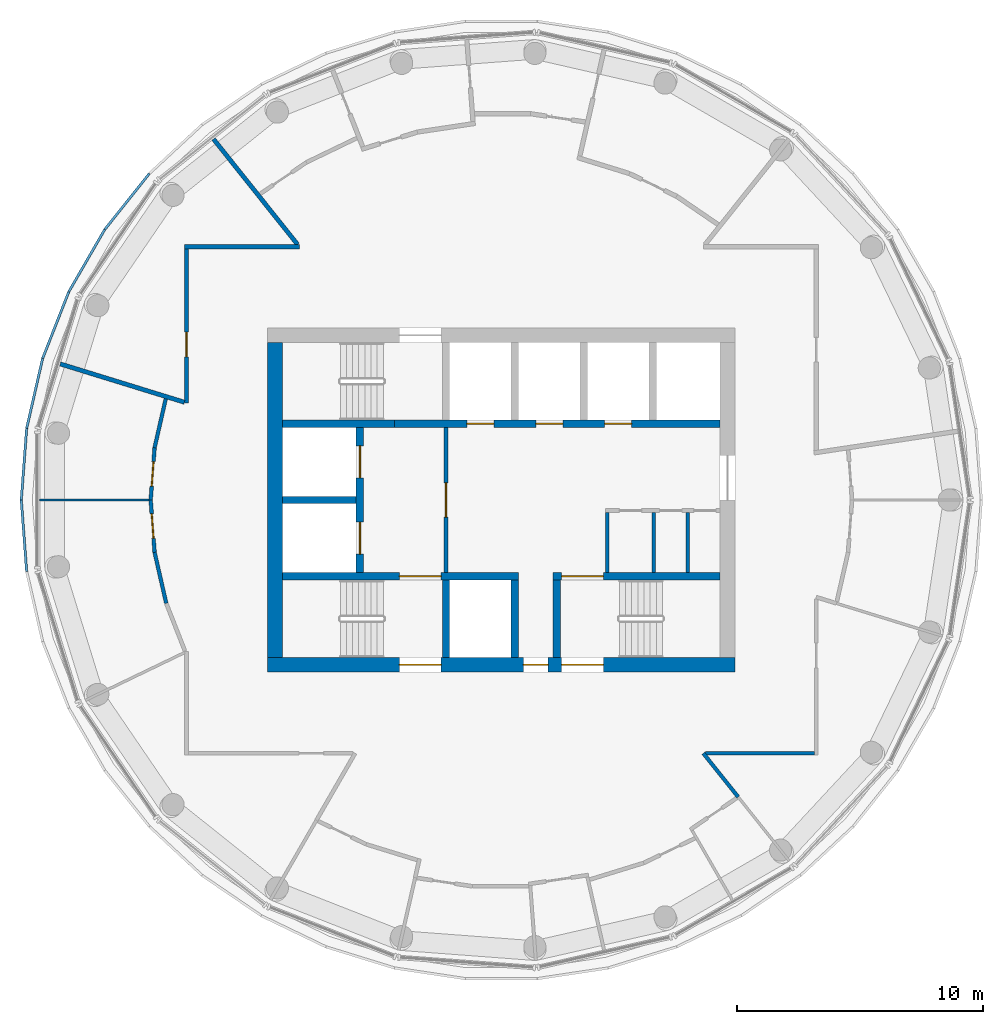
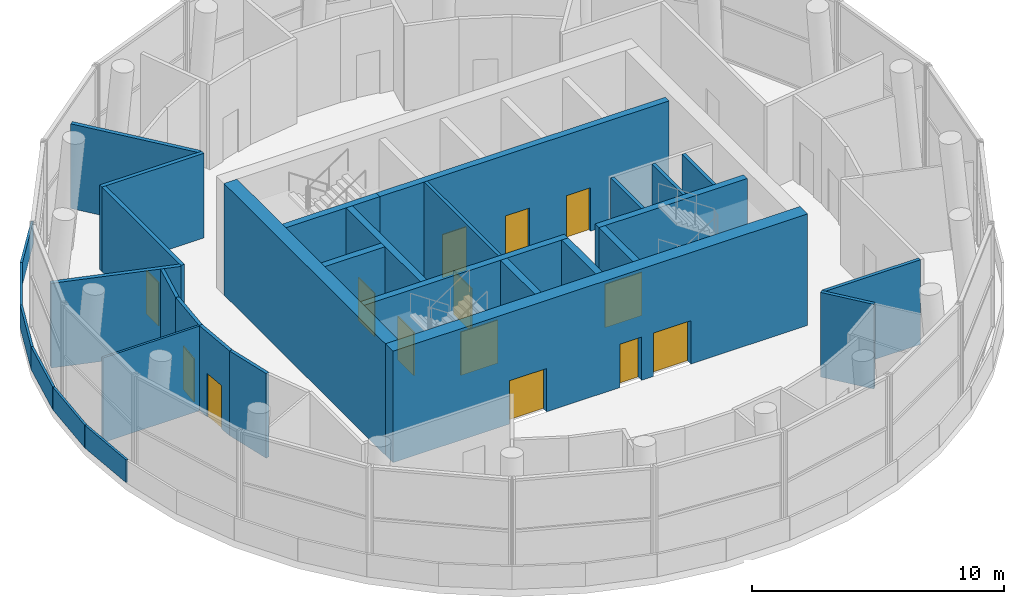
# One storey, part 5 of 10: 32 walls, 14 doors, 14 openings.
"""IFC4 building model written with IfcOpenShell, lengths in metres."""

from ifc_helpers import new_model, si_unit, direction, frame, frame_2d, origin, place, context, subcontext, project, spatial, rectangle, extrude, material, layer, layer_set, type_object, element, fill, save


model = new_model("IFC4")

# Units and contexts
model_context = context("Model", 3, precision=1e-05, world=origin(), true_north=direction((0.0, 1.0)))
body_context = subcontext(model_context, "Body", "Model", "MODEL_VIEW")
ifc_project = project(units=[si_unit("LENGTHUNIT", "METRE"), si_unit("AREAUNIT", "SQUARE_METRE"), si_unit("VOLUMEUNIT", "CUBIC_METRE"), si_unit("PLANEANGLEUNIT", "RADIAN"), si_unit("MASSUNIT", "GRAM", prefix="KILO")], contexts=[model_context])

# Site, building, storey
site_placement = place(None, origin())
site = spatial("IfcSite", under=ifc_project, at=site_placement, CompositionType="ELEMENT")
building_placement = place(site_placement, origin())
building = spatial("IfcBuilding", under=site, at=building_placement, Name="Tracery Tower", CompositionType="ELEMENT")
storey_placement = place(building_placement, frame((0.0, 0.0, 336.0)))
storey = spatial("IfcBuildingStorey", under=building, at=storey_placement, Name="L87", CompositionType="ELEMENT", Elevation=336.0)

# Wall
ifc_material_1 = material(Name="Plasterboard on steel studs", Category="steel")
ifc_layer_1 = layer(ifc_material_1, 0.175048828125)
ifc_layer_set_1 = layer_set([ifc_layer_1], Name="Compartment partition 175")
wall_type_1 = type_object("IfcWallType", Name="Compartment partition 175", PredefinedType="PARTITIONING", material=ifc_layer_set_1)
wall_1_placement = place(storey_placement, frame((-17.9375, 5.532958984375, 0.0), z_axis=(0.0, 0.0, 1.0), x_axis=(0.955579018635, -0.294735032095, 0.0)))
element("IfcWall", 1, at=wall_1_placement, inside=storey, type_object=wall_type_1, Name="Compartment partition 175", PredefinedType="PARTITIONING", context=body_context, shape_type="SweptSolid", body=[
    extrude(rectangle(XDim=5.284912109375, YDim=0.175048828125, at=frame_2d((2.642578125, 0.0))), origin(), (0.0, 0.0, 1.0), 4.10009765625),
])

# Wall, opening, door
wall_2_placement = place(storey_placement, frame((-12.800048828125, 3.9482421875, 0.0), z_axis=(0.0, 0.0, 1.0), x_axis=(0.0, 1.0, 0.0)))
wall_2 = element("IfcWall", 2, at=wall_2_placement, inside=storey, type_object=wall_type_1, Name="Compartment partition 175", PredefinedType="PARTITIONING", context=body_context, shape_type="SweptSolid", body=[
    extrude(rectangle(XDim=6.26416015625, YDim=0.175048828125, at=frame_2d((3.132080078125, 0.0))), origin(), (0.0, 0.0, 1.0), 4.10009765625),
])
opening_1_placement = place(wall_2_placement, frame((1.8759765625, 0.0, 0.0)))
opening_1 = element("IfcOpeningElement", 3, at=opening_1_placement, cuts=wall_2, Name="Opening SB-L87-09", PredefinedType="OPENING", context=body_context, shape_type="SweptSolid", body=[
    extrude(rectangle(XDim=1.0, YDim=2.10009765625, at=frame_2d((0.5, 1.050048828125))), frame((0.0, 0.08740234375, 0.0), z_axis=(0.0, -1.0, 0.0), x_axis=(1.0, 0.0, 0.0)), (0.0, 0.0, 1.0), 0.175048828125),
])
ifc_material_2 = material(Name="Timber door leaf", Category="wood")
door_type_1 = type_object("IfcDoorType", Name="Public room door 1000", OperationType="NOTDEFINED", PredefinedType="DOOR", material=ifc_material_2)
door_1_placement = place(opening_1_placement, origin())
door_1 = element("IfcDoor", 4, at=door_1_placement, inside=storey, type_object=door_type_1, Name="Public room door 1000", OperationType="SINGLE_SWING_RIGHT", OverallHeight=2.10009765625, OverallWidth=1.0, PredefinedType="DOOR", context=body_context, shape_type="SweptSolid", body=[
    extrude(rectangle(XDim=1.0, YDim=2.10009765625, at=frame_2d((0.5, 1.050048828125))), frame((0.0, 0.02490234375, 0.0), z_axis=(0.0, -1.0, 0.0), x_axis=(1.0, 0.0, 0.0)), (0.0, 0.0, 1.0), 0.050048828125),
])
fill(opening_1, door_1)

# Walls
wall_3_placement = place(storey_placement, frame((-11.703857421875, 14.676025390625, 0.0), z_axis=(0.0, 0.0, 1.0), x_axis=(0.623505647703, -0.781818845567, 0.0)))
element("IfcWall", 5, at=wall_3_placement, inside=storey, type_object=wall_type_1, Name="Compartment partition 175", PredefinedType="PARTITIONING", context=body_context, shape_type="SweptSolid", body=[
    extrude(rectangle(XDim=5.4853515625, YDim=0.175048828125, at=frame_2d((2.74267578125, 0.0))), origin(), (0.0, 0.0, 1.0), 4.10009765625),
])
wall_4_placement = place(storey_placement, frame((-8.214111328125, 10.300048828125, 0.0), z_axis=(0.0, 0.0, 1.0), x_axis=(-1.0, 0.0, 0.0)))
element("IfcWall", 6, at=wall_4_placement, inside=storey, type_object=wall_type_1, Name="Compartment partition 175", PredefinedType="PARTITIONING", context=body_context, shape_type="SweptSolid", body=[
    extrude(rectangle(XDim=4.67333984375, YDim=0.175048828125, at=frame_2d((2.336669921875, 0.0))), origin(), (0.0, 0.0, 1.0), 4.10009765625),
])

# Wall, opening, door
ifc_material_3 = material(Name="Plasterboard on steel studs", Category="steel")
ifc_layer_2 = layer(ifc_material_3, 0.14990234375)
ifc_layer_set_2 = layer_set([ifc_layer_2], Name="Core lobby partition 150")
wall_type_2 = type_object("IfcWallType", Name="Core lobby partition 150", PredefinedType="SOLIDWALL", material=ifc_layer_set_2)
wall_5_placement = place(storey_placement, frame((-2.25, -2.949951171875, 0.0), z_axis=(0.0, 0.0, 1.0), x_axis=(0.0, 1.0, 0.0)))
wall_5 = element("IfcWall", 7, at=wall_5_placement, inside=storey, type_object=wall_type_2, Name="L87 FF lobby E", PredefinedType="SOLIDWALL", context=body_context, shape_type="SweptSolid", body=[
    extrude(rectangle(XDim=5.89990234375, YDim=0.14990234375, at=frame_2d((2.949951171875, 0.0))), origin(), (0.0, 0.0, 1.0), 5.050048828125),
])
opening_2_placement = place(wall_5_placement, frame((2.25, 0.0, 0.0)))
opening_2 = element("IfcOpeningElement", 8, at=opening_2_placement, cuts=wall_5, Name="Opening KD8", PredefinedType="OPENING", context=body_context, shape_type="SweptSolid", body=[
    extrude(rectangle(XDim=1.39990234375, YDim=2.10009765625, at=frame_2d((0.699951171875, 1.050048828125))), frame((0.0, 0.074951171875, 0.0), z_axis=(0.0, -1.0, 0.0), x_axis=(1.0, 0.0, 0.0)), (0.0, 0.0, 1.0), 0.14990234375),
])
ifc_material_4 = material(Name="Steel fire door", Category="steel")
door_type_2 = type_object("IfcDoorType", Name="Core lobby door 1400 double", OperationType="NOTDEFINED", PredefinedType="DOOR", material=ifc_material_4)
door_2_placement = place(opening_2_placement, origin())
door_2 = element("IfcDoor", 9, at=door_2_placement, inside=storey, type_object=door_type_2, Name="Fire-fighting lobby door", OperationType="DOUBLE_DOOR_SINGLE_SWING", OverallHeight=2.10009765625, OverallWidth=1.39990234375, PredefinedType="DOOR", context=body_context, shape_type="SweptSolid", body=[
    extrude(rectangle(XDim=1.39990234375, YDim=2.10009765625, at=frame_2d((0.699951171875, 1.050048828125))), frame((0.0, 0.02490234375, 0.0), z_axis=(0.0, -1.0, 0.0), x_axis=(1.0, 0.0, 0.0)), (0.0, 0.0, 1.0), 0.050048828125),
])
fill(opening_2, door_2)

# Walls
ifc_material_5 = material(Name="Plasterboard on steel studs", Category="steel")
ifc_layer_3 = layer(ifc_material_5, 0.14990234375)
ifc_layer_set_3 = layer_set([ifc_layer_3], Name="Core room partition 150")
wall_type_3 = type_object("IfcWallType", Name="Core room partition 150", PredefinedType="SOLIDWALL", material=ifc_layer_set_3)
for number, where, z_axis, x_axis, name in (
    (10, (4.300048828125, -2.949951171875, 0.0), (0.0, 0.0, 1.0), (0.0, 1.0, 0.0), "L87 slot W"),
    (11, (6.199951171875, -2.949951171875, 0.0), (0.0, 0.0, 1.0), (0.0, 1.0, 0.0), "L87 slot sep 1"),
    (12, (7.574951171875, -2.949951171875, 0.0), (0.0, 0.0, 1.0), (0.0, 1.0, 0.0), "L87 slot sep 2"),
):
    element("IfcWall", number, at=place(storey_placement, frame(where, z_axis=z_axis, x_axis=x_axis)), inside=storey, type_object=wall_type_3, Name=name, PredefinedType="SOLIDWALL", context=body_context, shape_type="SweptSolid", body=[
        extrude(rectangle(XDim=2.449951171875, YDim=0.14990234375, at=frame_2d((1.22509765625, 0.0))), origin(), (0.0, 0.0, 1.0), 5.050048828125),
    ])

# Wall, openings, doors
ifc_material_6 = material(Name="Concrete C40/50", Category="concrete")
ifc_layer_4 = layer(ifc_material_6, 0.60009765625)
ifc_layer_set_4 = layer_set([ifc_layer_4], Name="Core wall 600 C40")
wall_type_4 = type_object("IfcWallType", Name="Core wall 600 C40", PredefinedType="SOLIDWALL", material=ifc_layer_set_4)
wall_6_placement = place(storey_placement, frame((-9.5, -6.699951171875, 0.0), z_axis=(0.0, 0.0, 1.0), x_axis=(1.0, 0.0, 0.0)))
wall_6 = element("IfcWall", 13, at=wall_6_placement, inside=storey, type_object=wall_type_4, Name="L87 outer S", PredefinedType="SOLIDWALL", context=body_context, shape_type="SweptSolid", body=[
    extrude(rectangle(XDim=19.0, YDim=0.60009765625, at=frame_2d((9.5, 0.0))), origin(), (0.0, 0.0, 1.0), 5.39990234375),
])
opening_3_placement = place(wall_6_placement, frame((10.39990234375, 0.0, 0.0)))
opening_3 = element("IfcOpeningElement", 14, at=opening_3_placement, cuts=wall_6, Name="Opening KD16", PredefinedType="OPENING", context=body_context, shape_type="SweptSolid", body=[
    extrude(rectangle(XDim=1.0, YDim=2.10009765625, at=frame_2d((0.5, 1.050048828125))), frame((0.0, 0.300048828125, 0.0), z_axis=(0.0, -1.0, 0.0), x_axis=(1.0, 0.0, 0.0)), (0.0, 0.0, 1.0), 0.60009765625),
])
opening_4_placement = place(wall_6_placement, frame((5.35009765625, 0.0, 0.0)))
opening_4 = element("IfcOpeningElement", 15, at=opening_4_placement, cuts=wall_6, Name="Opening KD3", PredefinedType="OPENING", context=body_context, shape_type="SweptSolid", body=[
    extrude(rectangle(XDim=1.699951171875, YDim=2.10009765625, at=frame_2d((0.85009765625, 1.050048828125))), frame((0.0, 0.300048828125, 0.0), z_axis=(0.0, -1.0, 0.0), x_axis=(1.0, 0.0, 0.0)), (0.0, 0.0, 1.0), 0.60009765625),
])
opening_5_placement = place(wall_6_placement, frame((11.949951171875, 0.0, 0.0)))
opening_5 = element("IfcOpeningElement", 16, at=opening_5_placement, cuts=wall_6, Name="Opening KD3", PredefinedType="OPENING", context=body_context, shape_type="SweptSolid", body=[
    extrude(rectangle(XDim=1.699951171875, YDim=2.10009765625, at=frame_2d((0.85009765625, 1.050048828125))), frame((0.0, 0.300048828125, 0.0), z_axis=(0.0, -1.0, 0.0), x_axis=(1.0, 0.0, 0.0)), (0.0, 0.0, 1.0), 0.60009765625),
])
ifc_material_7 = material(Name="Steel fire door", Category="steel")
door_type_3 = type_object("IfcDoorType", Name="Core exit door 1000", OperationType="NOTDEFINED", PredefinedType="DOOR", material=ifc_material_7)
door_3_placement = place(opening_3_placement, origin())
door_3 = element("IfcDoor", 17, at=door_3_placement, inside=storey, type_object=door_type_3, Name="Core exit door", OperationType="SINGLE_SWING_LEFT", OverallHeight=2.10009765625, OverallWidth=1.0, PredefinedType="DOOR", context=body_context, shape_type="SweptSolid", body=[
    extrude(rectangle(XDim=1.0, YDim=2.10009765625, at=frame_2d((0.5, 1.050048828125))), frame((0.0, 0.02490234375, 0.0), z_axis=(0.0, -1.0, 0.0), x_axis=(1.0, 0.0, 0.0)), (0.0, 0.0, 1.0), 0.050048828125),
])
fill(opening_3, door_3)
ifc_material_8 = material(Name="Steel fire door", Category="steel")
door_type_4 = type_object("IfcDoorType", Name="Core stair door 1700 double", OperationType="NOTDEFINED", PredefinedType="DOOR", material=ifc_material_8)
door_4_placement = place(opening_4_placement, origin())
door_4 = element("IfcDoor", 18, at=door_4_placement, inside=storey, type_object=door_type_4, Name="Stair door ST1 exit", OperationType="DOUBLE_DOOR_SINGLE_SWING", OverallHeight=2.10009765625, OverallWidth=1.699951171875, PredefinedType="DOOR", context=body_context, shape_type="SweptSolid", body=[
    extrude(rectangle(XDim=1.699951171875, YDim=2.10009765625, at=frame_2d((0.85009765625, 1.050048828125))), frame((0.0, 0.02490234375, 0.0), z_axis=(0.0, -1.0, 0.0), x_axis=(1.0, 0.0, 0.0)), (0.0, 0.0, 1.0), 0.050048828125),
])
fill(opening_4, door_4)
door_5_placement = place(opening_5_placement, origin())
door_5 = element("IfcDoor", 19, at=door_5_placement, inside=storey, type_object=door_type_4, Name="Stair door ST2 exit", OperationType="DOUBLE_DOOR_SINGLE_SWING", OverallHeight=2.10009765625, OverallWidth=1.699951171875, PredefinedType="DOOR", context=body_context, shape_type="SweptSolid", body=[
    extrude(rectangle(XDim=1.699951171875, YDim=2.10009765625, at=frame_2d((0.85009765625, 1.050048828125))), frame((0.0, 0.02490234375, 0.0), z_axis=(0.0, -1.0, 0.0), x_axis=(1.0, 0.0, 0.0)), (0.0, 0.0, 1.0), 0.050048828125),
])
fill(opening_5, door_5)

# Wall
wall_7_placement = place(storey_placement, frame((-9.199951171875, -6.39990234375, 0.0), z_axis=(0.0, 0.0, 1.0), x_axis=(0.0, 1.0, 0.0)))
element("IfcWall", 20, at=wall_7_placement, inside=storey, type_object=wall_type_4, Name="L87 outer W", PredefinedType="SOLIDWALL", context=body_context, shape_type="SweptSolid", body=[
    extrude(rectangle(XDim=12.7998046875, YDim=0.60009765625, at=frame_2d((6.39990234375, 0.0))), origin(), (0.0, 0.0, 1.0), 5.39990234375),
])

# Wall, opening, door
ifc_material_9 = material(Name="Plasterboard on steel studs", Category="steel")
ifc_layer_5 = layer(ifc_material_9, 0.14990234375)
ifc_layer_set_5 = layer_set([ifc_layer_5], Name="Corridor partition 150")
wall_type_5 = type_object("IfcWallType", Name="Corridor partition 150", PredefinedType="PARTITIONING", material=ifc_layer_set_5)
wall_8_placement = place(storey_placement, frame((-14.099609375, -2.125244140625, 0.0), z_axis=(0.0, 0.0, 1.0), x_axis=(-0.074690272364, 0.99720678057, 0.0)))
wall_8 = element("IfcWall", 21, at=wall_8_placement, inside=storey, type_object=wall_type_5, Name="Corridor partition 150", PredefinedType="PARTITIONING", context=body_context, shape_type="SweptSolid", body=[
    extrude(rectangle(XDim=2.131103515625, YDim=0.14990234375, at=frame_2d((1.0654296875, 0.0))), origin(), (0.0, 0.0, 1.0), 4.10009765625),
])
opening_6_placement = place(wall_8_placement, frame((0.565673828125, 0.0, 0.0)))
opening_6 = element("IfcOpeningElement", 22, at=opening_6_placement, cuts=wall_8, Name="Opening SB-L87-11", PredefinedType="OPENING", context=body_context, shape_type="SweptSolid", body=[
    extrude(rectangle(XDim=1.0, YDim=2.10009765625, at=frame_2d((0.5, 1.050048828125))), frame((0.0, 0.074951171875, 0.0), z_axis=(0.0, -1.0, 0.0), x_axis=(1.0, 0.0, 0.0)), (0.0, 0.0, 1.0), 0.14990234375),
])
door_6_placement = place(opening_6_placement, origin())
door_6 = element("IfcDoor", 23, at=door_6_placement, inside=storey, type_object=door_type_1, Name="Public room door 1000", OperationType="SINGLE_SWING_RIGHT", OverallHeight=2.10009765625, OverallWidth=1.0, PredefinedType="DOOR", context=body_context, shape_type="SweptSolid", body=[
    extrude(rectangle(XDim=1.0, YDim=2.10009765625, at=frame_2d((0.5, 1.050048828125))), frame((0.0, 0.02490234375, 0.0), z_axis=(0.0, -1.0, 0.0), x_axis=(1.0, 0.0, 0.0)), (0.0, 0.0, 1.0), 0.050048828125),
])
fill(opening_6, door_6)

# Wall
wall_9_placement = place(storey_placement, frame((-14.099609375, -2.125244140625, 0.0), z_axis=(0.0, 0.0, 1.0), x_axis=(0.222591496507, -0.974911804053, 0.0)))
element("IfcWall", 24, at=wall_9_placement, inside=storey, type_object=wall_type_5, Name="Corridor partition 150", PredefinedType="PARTITIONING", context=body_context, shape_type="SweptSolid", body=[
    extrude(rectangle(XDim=2.131103515625, YDim=0.14990234375, at=frame_2d((1.0654296875, 0.0))), origin(), (0.0, 0.0, 1.0), 4.10009765625),
])

# Wall, opening, door
wall_10_placement = place(storey_placement, frame((-14.2587890625, 0.0, 0.0), z_axis=(0.0, 0.0, 1.0), x_axis=(0.074690272364, 0.99720678057, 0.0)))
wall_10 = element("IfcWall", 25, at=wall_10_placement, inside=storey, type_object=wall_type_5, Name="Corridor partition 150", PredefinedType="PARTITIONING", context=body_context, shape_type="SweptSolid", body=[
    extrude(rectangle(XDim=2.131103515625, YDim=0.14990234375, at=frame_2d((1.0654296875, 0.0))), origin(), (0.0, 0.0, 1.0), 4.10009765625),
])
opening_7_placement = place(wall_10_placement, frame((0.565673828125, 0.0, 0.0)))
opening_7 = element("IfcOpeningElement", 26, at=opening_7_placement, cuts=wall_10, Name="Opening SB-L87-10", PredefinedType="OPENING", context=body_context, shape_type="SweptSolid", body=[
    extrude(rectangle(XDim=1.0, YDim=2.10009765625, at=frame_2d((0.5, 1.050048828125))), frame((0.0, 0.074951171875, 0.0), z_axis=(0.0, -1.0, 0.0), x_axis=(1.0, 0.0, 0.0)), (0.0, 0.0, 1.0), 0.14990234375),
])
door_7_placement = place(opening_7_placement, origin())
door_7 = element("IfcDoor", 27, at=door_7_placement, inside=storey, type_object=door_type_1, Name="Public room door 1000", OperationType="SINGLE_SWING_RIGHT", OverallHeight=2.10009765625, OverallWidth=1.0, PredefinedType="DOOR", context=body_context, shape_type="SweptSolid", body=[
    extrude(rectangle(XDim=1.0, YDim=2.10009765625, at=frame_2d((0.5, 1.050048828125))), frame((0.0, 0.02490234375, 0.0), z_axis=(0.0, -1.0, 0.0), x_axis=(1.0, 0.0, 0.0)), (0.0, 0.0, 1.0), 0.050048828125),
])
fill(opening_7, door_7)

# Walls
wall_11_placement = place(storey_placement, frame((-13.6455078125, 4.114501953125, 0.0), z_axis=(0.0, 0.0, 1.0), x_axis=(-0.222551886981, -0.974920846839, 0.0)))
element("IfcWall", 28, at=wall_11_placement, inside=storey, type_object=wall_type_5, Name="Corridor partition 150", PredefinedType="PARTITIONING", context=body_context, shape_type="SweptSolid", body=[
    extrude(rectangle(XDim=2.04052734375, YDim=0.14990234375, at=frame_2d((1.020263671875, 0.0))), origin(), (0.0, 0.0, 1.0), 4.10009765625),
])
wall_12_placement = place(storey_placement, frame((8.309814453125, -10.300048828125, 0.0), z_axis=(0.0, 0.0, 1.0), x_axis=(1.0, 0.0, 0.0)))
element("IfcWall", 29, at=wall_12_placement, inside=storey, type_object=wall_type_5, Name="Corridor partition 150", PredefinedType="PARTITIONING", context=body_context, shape_type="SweptSolid", body=[
    extrude(rectangle(XDim=4.415283203125, YDim=0.14990234375, at=frame_2d((2.20751953125, 0.0))), origin(), (0.0, 0.0, 1.0), 4.10009765625),
])
wall_13_placement = place(storey_placement, frame((9.630615234375, -12.076171875, 0.0), z_axis=(0.0, 0.0, 1.0), x_axis=(-0.623514835503, 0.781811518147, 0.0)))
element("IfcWall", 30, at=wall_13_placement, inside=storey, type_object=wall_type_5, Name="Corridor partition 150", PredefinedType="PARTITIONING", context=body_context, shape_type="SweptSolid", body=[
    extrude(rectangle(XDim=2.271728515625, YDim=0.14990234375, at=frame_2d((1.1357421875, 0.0))), origin(), (0.0, 0.0, 1.0), 4.10009765625),
])
ifc_material_10 = material(Name="Tinted laminated glass", Category="glass")
ifc_layer_6 = layer(ifc_material_10, 0.10009765625)
ifc_layer_set_6 = layer_set([ifc_layer_6], Name="Crown ledge glass parapet 100")
wall_type_6 = type_object("IfcWallType", Name="Crown ledge glass parapet 100", PredefinedType="PARAPET", material=ifc_layer_set_6)
wall_14_placement = place(storey_placement, frame((-14.313720703125, 13.274658203125, 0.0), z_axis=(0.0, 0.0, 1.0), x_axis=(-0.623496489725, -0.781826149026, 0.0)))
element("IfcWall", 31, at=wall_14_placement, inside=storey, type_object=wall_type_6, Name="Crown ledge glass parapet L87 17", PredefinedType="PARAPET", context=body_context, shape_type="SweptSolid", body=[
    extrude(rectangle(XDim=2.908203125, YDim=0.10009765625, at=frame_2d((1.4541015625, 0.0))), origin(), (0.0, 0.0, 1.0), 1.10009765625),
])
wall_15_placement = place(storey_placement, frame((-16.13232421875, 10.9931640625, 0.0), z_axis=(0.0, 0.0, 1.0), x_axis=(-0.49996709, -0.866044403548, 0.0)))
element("IfcWall", 32, at=wall_15_placement, inside=storey, type_object=wall_type_6, Name="Crown ledge glass parapet L87 18", PredefinedType="PARAPET", context=body_context, shape_type="SweptSolid", body=[
    extrude(rectangle(XDim=2.908447265625, YDim=0.10009765625, at=frame_2d((1.4541015625, 0.0))), origin(), (0.0, 0.0, 1.0), 1.10009765625),
])
for number, where, z_axis, x_axis, name in (
    (33, (-17.590576171875, 8.4658203125, 0.0), (0.0, 0.0, 1.0), (-0.365332892382, -0.930876940172, 0.0), "Crown ledge glass parapet L87 19"),
    (34, (-18.65576171875, 5.74951171875, 0.0), (0.0, 0.0, 1.0), (-0.222553532192, -0.974920471274, 0.0), "Crown ledge glass parapet L87 20"),
    (35, (-19.304443359375, 2.90478515625, 0.0), (0.0, 0.0, 1.0), (-0.074712731488, -0.997205098139, 0.0), "Crown ledge glass parapet L87 21"),
    (36, (-19.521728515625, -0.004638671875, 0.0), (0.0, 0.0, 1.0), (0.074712731488, -0.997205098139, 0.0), "Crown ledge glass parapet L87 22"),
):
    element("IfcWall", number, at=place(storey_placement, frame(where, z_axis=z_axis, x_axis=x_axis)), inside=storey, type_object=wall_type_6, Name=name, PredefinedType="PARAPET", context=body_context, shape_type="SweptSolid", body=[
        extrude(rectangle(XDim=2.908203125, YDim=0.10009765625, at=frame_2d((1.4541015625, 0.0))), origin(), (0.0, 0.0, 1.0), 1.10009765625),
    ])
ifc_material_11 = material(Name="Concrete C40/50", Category="concrete")
ifc_layer_7 = layer(ifc_material_11, 0.300048828125)
ifc_layer_set_7 = layer_set([ifc_layer_7], Name="Shaft wall 300 C40")
wall_type_7 = type_object("IfcWallType", Name="Shaft wall 300 C40", PredefinedType="SOLIDWALL", material=ifc_layer_set_7)
wall_16_placement = place(storey_placement, frame((-8.89990234375, 0.0, 0.0), z_axis=(0.0, 0.0, 1.0), x_axis=(1.0, 0.0, 0.0)))
element("IfcWall", 37, at=wall_16_placement, inside=storey, type_object=wall_type_7, Name="L87 FF split", PredefinedType="SOLIDWALL", context=body_context, shape_type="SweptSolid", body=[
    extrude(rectangle(XDim=3.0, YDim=0.300048828125, at=frame_2d((1.5, 0.0))), origin(), (0.0, 0.0, 1.0), 5.050048828125),
])

# Wall, openings, doors
wall_17_placement = place(storey_placement, frame((-5.75, -2.949951171875, 0.0), z_axis=(0.0, 0.0, 1.0), x_axis=(0.0, 1.0, 0.0)))
wall_17 = element("IfcWall", 38, at=wall_17_placement, inside=storey, type_object=wall_type_7, Name="L87 FF doors", PredefinedType="SOLIDWALL", context=body_context, shape_type="SweptSolid", body=[
    extrude(rectangle(XDim=5.89990234375, YDim=0.300048828125, at=frame_2d((2.949951171875, 0.0))), origin(), (0.0, 0.0, 1.0), 5.050048828125),
])
opening_8_placement = place(wall_17_placement, frame((0.75, 0.0, 0.0)))
opening_8 = element("IfcOpeningElement", 39, at=opening_8_placement, cuts=wall_17, Name="Opening KD54", PredefinedType="OPENING", context=body_context, shape_type="SweptSolid", body=[
    extrude(rectangle(XDim=1.300048828125, YDim=2.10009765625, at=frame_2d((0.64990234375, 1.050048828125))), frame((0.0, 0.14990234375, 0.0), z_axis=(0.0, -1.0, 0.0), x_axis=(1.0, 0.0, 0.0)), (0.0, 0.0, 1.0), 0.300048828125),
])
opening_9_placement = place(wall_17_placement, frame((3.85009765625, 0.0, 0.0)))
opening_9 = element("IfcOpeningElement", 40, at=opening_9_placement, cuts=wall_17, Name="Opening KD55", PredefinedType="OPENING", context=body_context, shape_type="SweptSolid", body=[
    extrude(rectangle(XDim=1.300048828125, YDim=2.10009765625, at=frame_2d((0.64990234375, 1.050048828125))), frame((0.0, 0.14990234375, 0.0), z_axis=(0.0, -1.0, 0.0), x_axis=(1.0, 0.0, 0.0)), (0.0, 0.0, 1.0), 0.300048828125),
])
ifc_material_12 = material(Name="Steel fire door", Category="steel")
door_type_5 = type_object("IfcDoorType", Name="Landing door FF 1300", OperationType="NOTDEFINED", PredefinedType="DOOR", material=ifc_material_12)
door_8_placement = place(opening_8_placement, origin())
door_8 = element("IfcDoor", 41, at=door_8_placement, inside=storey, type_object=door_type_5, Name="Landing door FF1", OperationType="SLIDING_TO_LEFT", OverallHeight=2.10009765625, OverallWidth=1.300048828125, PredefinedType="DOOR", context=body_context, shape_type="SweptSolid", body=[
    extrude(rectangle(XDim=1.300048828125, YDim=2.10009765625, at=frame_2d((0.64990234375, 1.050048828125))), frame((0.0, 0.02490234375, 0.0), z_axis=(0.0, -1.0, 0.0), x_axis=(1.0, 0.0, 0.0)), (0.0, 0.0, 1.0), 0.050048828125),
])
fill(opening_8, door_8)
door_9_placement = place(opening_9_placement, origin())
door_9 = element("IfcDoor", 42, at=door_9_placement, inside=storey, type_object=door_type_5, Name="Landing door FF2", OperationType="SLIDING_TO_RIGHT", OverallHeight=2.10009765625, OverallWidth=1.300048828125, PredefinedType="DOOR", context=body_context, shape_type="SweptSolid", body=[
    extrude(rectangle(XDim=1.300048828125, YDim=2.10009765625, at=frame_2d((0.64990234375, 1.050048828125))), frame((0.0, 0.02490234375, 0.0), z_axis=(0.0, -1.0, 0.0), x_axis=(1.0, 0.0, 0.0)), (0.0, 0.0, 1.0), 0.050048828125),
])
fill(opening_9, door_9)

# Wall
wall_18_placement = place(storey_placement, frame((0.550048828125, -6.39990234375, 0.0), z_axis=(0.0, 0.0, 1.0), x_axis=(0.0, 1.0, 0.0)))
element("IfcWall", 43, at=wall_18_placement, inside=storey, type_object=wall_type_7, Name="L87 OB2 E", PredefinedType="SOLIDWALL", context=body_context, shape_type="SweptSolid", body=[
    extrude(rectangle(XDim=3.14990234375, YDim=0.300048828125, at=frame_2d((1.574951171875, 0.0))), origin(), (0.0, 0.0, 1.0), 5.050048828125),
])

# Wall, opening, door
ifc_material_13 = material(Name="Concrete C40/50", Category="concrete")
ifc_layer_8 = layer(ifc_material_13, 0.300048828125)
ifc_layer_set_8 = layer_set([ifc_layer_8], Name="Stair wall 300 C40")
wall_type_8 = type_object("IfcWallType", Name="Stair wall 300 C40", PredefinedType="SOLIDWALL", material=ifc_layer_set_8)
wall_19_placement = place(storey_placement, frame((-8.89990234375, -3.10009765625, 0.0), z_axis=(0.0, 0.0, 1.0), x_axis=(1.0, 0.0, 0.0)))
wall_19 = element("IfcWall", 44, at=wall_19_placement, inside=storey, type_object=wall_type_8, Name="L87 row S", PredefinedType="SOLIDWALL", context=body_context, shape_type="SweptSolid", body=[
    extrude(rectangle(XDim=9.599853515625, YDim=0.300048828125, at=frame_2d((4.7998046875, 0.0))), origin(), (0.0, 0.0, 1.0), 5.050048828125),
])
opening_10_placement = place(wall_19_placement, frame((4.75, 0.0, 0.0)))
opening_10 = element("IfcOpeningElement", 45, at=opening_10_placement, cuts=wall_19, Name="Opening KD3", PredefinedType="OPENING", context=body_context, shape_type="SweptSolid", body=[
    extrude(rectangle(XDim=1.699951171875, YDim=2.10009765625, at=frame_2d((0.85009765625, 1.050048828125))), frame((0.0, 0.14990234375, 0.0), z_axis=(0.0, -1.0, 0.0), x_axis=(1.0, 0.0, 0.0)), (0.0, 0.0, 1.0), 0.300048828125),
])
door_10_placement = place(opening_10_placement, origin())
door_10 = element("IfcDoor", 46, at=door_10_placement, inside=storey, type_object=door_type_4, Name="Stair door ST1", OperationType="DOUBLE_DOOR_SINGLE_SWING", OverallHeight=2.10009765625, OverallWidth=1.699951171875, PredefinedType="DOOR", context=body_context, shape_type="SweptSolid", body=[
    extrude(rectangle(XDim=1.699951171875, YDim=2.10009765625, at=frame_2d((0.85009765625, 1.050048828125))), frame((0.0, 0.02490234375, 0.0), z_axis=(0.0, -1.0, 0.0), x_axis=(1.0, 0.0, 0.0)), (0.0, 0.0, 1.0), 0.050048828125),
])
fill(opening_10, door_10)

wall_20_placement = place(storey_placement, frame((2.10009765625, -3.10009765625, 0.0), z_axis=(0.0, 0.0, 1.0), x_axis=(1.0, 0.0, 0.0)))
wall_20 = element("IfcWall", 47, at=wall_20_placement, inside=storey, type_object=wall_type_8, Name="L87 row S E", PredefinedType="SOLIDWALL", context=body_context, shape_type="SweptSolid", body=[
    extrude(rectangle(XDim=6.7998046875, YDim=0.300048828125, at=frame_2d((3.39990234375, 0.0))), origin(), (0.0, 0.0, 1.0), 5.050048828125),
])
opening_11_placement = place(wall_20_placement, frame((0.35009765625, 0.0, 0.0)))
opening_11 = element("IfcOpeningElement", 48, at=opening_11_placement, cuts=wall_20, Name="Opening KD3", PredefinedType="OPENING", context=body_context, shape_type="SweptSolid", body=[
    extrude(rectangle(XDim=1.699951171875, YDim=2.10009765625, at=frame_2d((0.85009765625, 1.050048828125))), frame((0.0, 0.14990234375, 0.0), z_axis=(0.0, -1.0, 0.0), x_axis=(1.0, 0.0, 0.0)), (0.0, 0.0, 1.0), 0.300048828125),
])
door_11_placement = place(opening_11_placement, origin())
door_11 = element("IfcDoor", 49, at=door_11_placement, inside=storey, type_object=door_type_4, Name="Stair door ST2", OperationType="DOUBLE_DOOR_SINGLE_SWING", OverallHeight=2.10009765625, OverallWidth=1.699951171875, PredefinedType="DOOR", context=body_context, shape_type="SweptSolid", body=[
    extrude(rectangle(XDim=1.699951171875, YDim=2.10009765625, at=frame_2d((0.85009765625, 1.050048828125))), frame((0.0, 0.02490234375, 0.0), z_axis=(0.0, -1.0, 0.0), x_axis=(1.0, 0.0, 0.0)), (0.0, 0.0, 1.0), 0.050048828125),
])
fill(opening_11, door_11)

# Wall
wall_21_placement = place(storey_placement, frame((-8.89990234375, 3.10009765625, 0.0), z_axis=(0.0, 0.0, 1.0), x_axis=(1.0, 0.0, 0.0)))
element("IfcWall", 50, at=wall_21_placement, inside=storey, type_object=wall_type_8, Name="L87 row N W", PredefinedType="SOLIDWALL", context=body_context, shape_type="SweptSolid", body=[
    extrude(rectangle(XDim=4.5498046875, YDim=0.300048828125, at=frame_2d((2.27490234375, 0.0))), origin(), (0.0, 0.0, 1.0), 5.050048828125),
])

# Wall, openings, doors
wall_22_placement = place(storey_placement, frame((-4.35009765625, 3.10009765625, 0.0), z_axis=(0.0, 0.0, 1.0), x_axis=(1.0, 0.0, 0.0)))
wall_22 = element("IfcWall", 51, at=wall_22_placement, inside=storey, type_object=wall_type_8, Name="L87 row N", PredefinedType="SOLIDWALL", context=body_context, shape_type="SweptSolid", body=[
    extrude(rectangle(XDim=13.25, YDim=0.300048828125, at=frame_2d((6.625, 0.0))), origin(), (0.0, 0.0, 1.0), 5.050048828125),
])
opening_12_placement = place(wall_22_placement, frame((2.949951171875, 0.0, 0.0)))
opening_12 = element("IfcOpeningElement", 52, at=opening_12_placement, cuts=wall_22, Name="Opening KD49", PredefinedType="OPENING", context=body_context, shape_type="SweptSolid", body=[
    extrude(rectangle(XDim=1.10009765625, YDim=2.10009765625, at=frame_2d((0.550048828125, 1.050048828125))), frame((0.0, 0.14990234375, 0.0), z_axis=(0.0, -1.0, 0.0), x_axis=(1.0, 0.0, 0.0)), (0.0, 0.0, 1.0), 0.300048828125),
])
opening_13_placement = place(wall_22_placement, frame((5.75, 0.0, 0.0)))
opening_13 = element("IfcOpeningElement", 53, at=opening_13_placement, cuts=wall_22, Name="Opening KD50", PredefinedType="OPENING", context=body_context, shape_type="SweptSolid", body=[
    extrude(rectangle(XDim=1.10009765625, YDim=2.10009765625, at=frame_2d((0.550048828125, 1.050048828125))), frame((0.0, 0.14990234375, 0.0), z_axis=(0.0, -1.0, 0.0), x_axis=(1.0, 0.0, 0.0)), (0.0, 0.0, 1.0), 0.300048828125),
])
opening_14_placement = place(wall_22_placement, frame((8.550048828125, 0.0, 0.0)))
opening_14 = element("IfcOpeningElement", 54, at=opening_14_placement, cuts=wall_22, Name="Opening KD49", PredefinedType="OPENING", context=body_context, shape_type="SweptSolid", body=[
    extrude(rectangle(XDim=1.10009765625, YDim=2.10009765625, at=frame_2d((0.550048828125, 1.050048828125))), frame((0.0, 0.14990234375, 0.0), z_axis=(0.0, -1.0, 0.0), x_axis=(1.0, 0.0, 0.0)), (0.0, 0.0, 1.0), 0.300048828125),
])
ifc_material_14 = material(Name="Steel fire door", Category="steel")
door_type_6 = type_object("IfcDoorType", Name="Landing door 1100", OperationType="NOTDEFINED", PredefinedType="DOOR", material=ifc_material_14)
door_12_placement = place(opening_12_placement, origin())
door_12 = element("IfcDoor", 55, at=door_12_placement, inside=storey, type_object=door_type_6, Name="Landing door HR1", OperationType="SLIDING_TO_LEFT", OverallHeight=2.10009765625, OverallWidth=1.10009765625, PredefinedType="DOOR", context=body_context, shape_type="SweptSolid", body=[
    extrude(rectangle(XDim=1.10009765625, YDim=2.10009765625, at=frame_2d((0.550048828125, 1.050048828125))), frame((0.0, 0.02490234375, 0.0), z_axis=(0.0, -1.0, 0.0), x_axis=(1.0, 0.0, 0.0)), (0.0, 0.0, 1.0), 0.050048828125),
])
fill(opening_12, door_12)
door_13_placement = place(opening_13_placement, origin())
door_13 = element("IfcDoor", 56, at=door_13_placement, inside=storey, type_object=door_type_6, Name="Landing door HR2", OperationType="SLIDING_TO_RIGHT", OverallHeight=2.10009765625, OverallWidth=1.10009765625, PredefinedType="DOOR", context=body_context, shape_type="SweptSolid", body=[
    extrude(rectangle(XDim=1.10009765625, YDim=2.10009765625, at=frame_2d((0.550048828125, 1.050048828125))), frame((0.0, 0.02490234375, 0.0), z_axis=(0.0, -1.0, 0.0), x_axis=(1.0, 0.0, 0.0)), (0.0, 0.0, 1.0), 0.050048828125),
])
fill(opening_13, door_13)
door_14_placement = place(opening_14_placement, origin())
door_14 = element("IfcDoor", 57, at=door_14_placement, inside=storey, type_object=door_type_6, Name="Landing door HR3", OperationType="SLIDING_TO_LEFT", OverallHeight=2.10009765625, OverallWidth=1.10009765625, PredefinedType="DOOR", context=body_context, shape_type="SweptSolid", body=[
    extrude(rectangle(XDim=1.10009765625, YDim=2.10009765625, at=frame_2d((0.550048828125, 1.050048828125))), frame((0.0, 0.02490234375, 0.0), z_axis=(0.0, -1.0, 0.0), x_axis=(1.0, 0.0, 0.0)), (0.0, 0.0, 1.0), 0.050048828125),
])
fill(opening_14, door_14)

# Walls
for number, where, z_axis, x_axis, name in (
    (58, (-2.25, -6.39990234375, 0.0), (0.0, 0.0, 1.0), (0.0, 1.0, 0.0), "L87 ST1 E"),
    (59, (2.25, -6.39990234375, 0.0), (0.0, 0.0, 1.0), (0.0, 1.0, 0.0), "L87 ST2 W"),
):
    element("IfcWall", number, at=place(storey_placement, frame(where, z_axis=z_axis, x_axis=x_axis)), inside=storey, type_object=wall_type_8, Name=name, PredefinedType="SOLIDWALL", context=body_context, shape_type="SweptSolid", body=[
        extrude(rectangle(XDim=3.14990234375, YDim=0.300048828125, at=frame_2d((1.574951171875, 0.0))), origin(), (0.0, 0.0, 1.0), 5.050048828125),
    ])
ifc_material_15 = material(Name="Plasterboard on steel studs", Category="steel")
ifc_layer_9 = layer(ifc_material_15, 0.10009765625)
ifc_layer_set_9 = layer_set([ifc_layer_9], Name="Stud partition 100")
wall_type_9 = type_object("IfcWallType", Name="Stud partition 100", PredefinedType="PARTITIONING", material=ifc_layer_set_9)
wall_23_placement = place(storey_placement, frame((-18.771484375, 0.0, 0.0), z_axis=(0.0, 0.0, 1.0), x_axis=(1.0, 0.0, 0.0)))
element("IfcWall", 60, at=wall_23_placement, inside=storey, type_object=wall_type_9, Name="Stud partition 100", PredefinedType="PARTITIONING", context=body_context, shape_type="SweptSolid", body=[
    extrude(rectangle(XDim=4.4375, YDim=0.10009765625, at=frame_2d((2.21875, 0.0))), origin(), (0.0, 0.0, 1.0), 4.10009765625),
])

save(model, "model.ifc")
